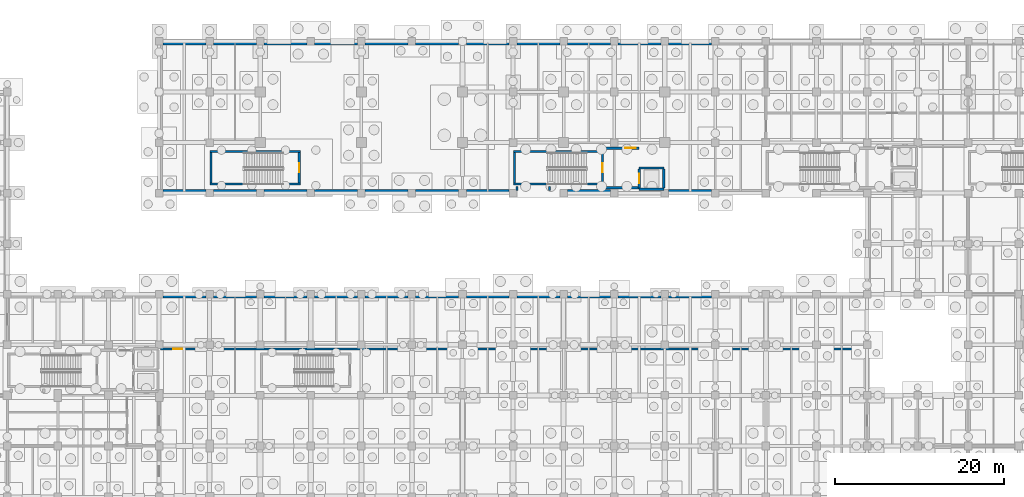
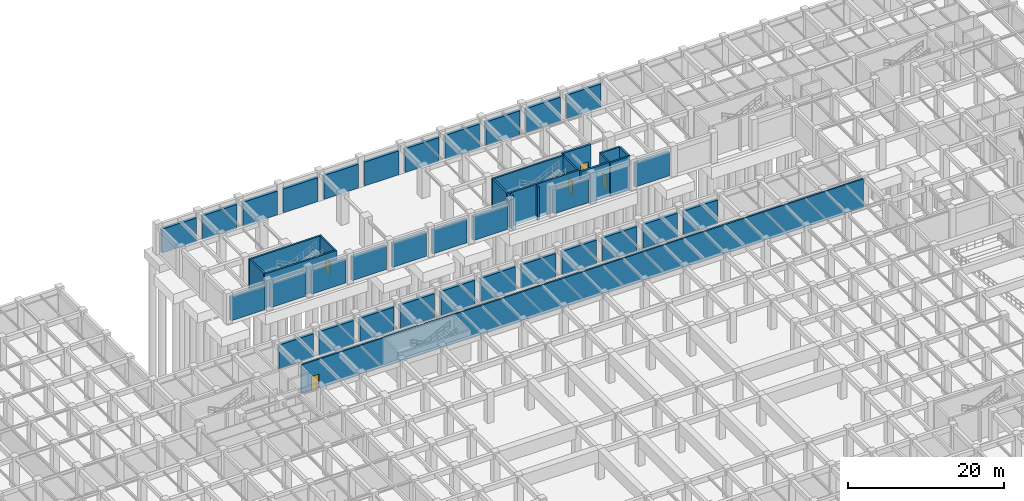
# One storey, part 42 of 54: 48 walls, 5 doors, 5 openings.
"""IFC4 building model written with IfcOpenShell, lengths in metres."""

from ifc_helpers import new_model, si_unit, direction, frame, frame_2d, origin, place, context, subcontext, project, spatial, rectangle, extrude, material, layer, layer_set, type_object, element, fill, save


model = new_model("IFC4")

# Units and contexts
model_context = context("Model", 3, precision=1e-05, world=origin(), true_north=direction((0.0, 1.0)))
body_context = subcontext(model_context, "Body", "Model", "MODEL_VIEW")
ifc_project = project(units=[si_unit("LENGTHUNIT", "METRE"), si_unit("AREAUNIT", "SQUARE_METRE"), si_unit("VOLUMEUNIT", "CUBIC_METRE"), si_unit("PLANEANGLEUNIT", "RADIAN"), si_unit("MASSUNIT", "GRAM", prefix="KILO"), si_unit("THERMODYNAMICTEMPERATUREUNIT", "KELVIN"), si_unit("POWERUNIT", "WATT")], contexts=[model_context])

# Site, building, storey
site_placement = place(None, origin())
site = spatial("IfcSite", under=ifc_project, at=site_placement, CompositionType="ELEMENT")
building_placement = place(site_placement, origin())
building = spatial("IfcBuilding", under=site, at=building_placement, Name="Phaisarnlok Congress Hotel", CompositionType="ELEMENT")
storey_placement = place(building_placement, frame((0.0, 0.0, -4.800048828125)))
storey = spatial("IfcBuildingStorey", under=building, at=storey_placement, Name="B01", CompositionType="ELEMENT", Elevation=-4.800048828125)

# Walls
ifc_material_1 = material(Name="Concrete C40/50", Category="concrete")
ifc_layer_1 = layer(ifc_material_1, 0.419921875, Name="Concrete C40/50")
ifc_layer_set_1 = layer_set([ifc_layer_1], Name="Concrete C40/50")
wall_type_1 = type_object("IfcWallType", Name="WL-EXT-420", PredefinedType="SOLIDWALL", material=ifc_layer_set_1)
for number, where, z_axis, x_axis, name in (
    (1, (125.544921875, 125.7900390625, 0.0), (0.0, 0.0, 1.0), (-1.0, 0.0, 0.0), "Exterior wall EW-08 (B01)"),
    (2, (119.544921875, 125.7900390625, 0.0), (0.0, 0.0, 1.0), (-1.0, 0.0, 0.0), "Exterior wall EW-08 (B01)"),
    (3, (113.544921875, 125.7900390625, 0.0), (0.0, 0.0, 1.0), (-1.0, 0.0, 0.0), "Exterior wall EW-08 (B01)"),
    (4, (107.544921875, 125.7900390625, 0.0), (0.0, 0.0, 1.0), (-1.0, 0.0, 0.0), "Exterior wall EW-08 (B01)"),
    (5, (101.544921875, 125.7900390625, 0.0), (0.0, 0.0, 1.0), (-1.0, 0.0, 0.0), "Exterior wall EW-08 (B01)"),
    (6, (95.544921875, 125.7900390625, 0.0), (0.0, 0.0, 1.0), (-1.0, 0.0, 0.0), "Exterior wall EW-08 (B01)"),
    (7, (89.544921875, 125.7900390625, 0.0), (0.0, 0.0, 1.0), (-1.0, 0.0, 0.0), "Exterior wall EW-08 (B01)"),
    (8, (83.544921875, 125.7900390625, 0.0), (0.0, 0.0, 1.0), (-1.0, 0.0, 0.0), "Exterior wall EW-08 (B01)"),
    (9, (77.544921875, 125.7900390625, 0.0), (0.0, 0.0, 1.0), (-1.0, 0.0, 0.0), "Exterior wall EW-08 (B01)"),
    (10, (71.544921875, 125.7900390625, 0.0), (0.0, 0.0, 1.0), (-1.0, 0.0, 0.0), "Exterior wall EW-08 (B01)"),
    (11, (65.544921875, 125.7900390625, 0.0), (0.0, 0.0, 1.0), (-1.0, 0.0, 0.0), "Exterior wall EW-08 (B01)"),
    (12, (60.455078125, 108.2099609375, 0.0), (0.0, 0.0, 1.0), (1.0, 0.0, 0.0), "Exterior wall EW-08 (B01)"),
    (13, (66.455078125, 108.2099609375, 0.0), (0.0, 0.0, 1.0), (1.0, 0.0, 0.0), "Exterior wall EW-08 (B01)"),
    (14, (72.455078125, 108.2099609375, 0.0), (0.0, 0.0, 1.0), (1.0, 0.0, 0.0), "Exterior wall EW-08 (B01)"),
    (15, (78.455078125, 108.2099609375, 0.0), (0.0, 0.0, 1.0), (1.0, 0.0, 0.0), "Exterior wall EW-08 (B01)"),
    (16, (84.455078125, 108.2099609375, 0.0), (0.0, 0.0, 1.0), (1.0, 0.0, 0.0), "Exterior wall EW-08 (B01)"),
    (17, (90.455078125, 108.2099609375, 0.0), (0.0, 0.0, 1.0), (1.0, 0.0, 0.0), "Exterior wall EW-08 (B01)"),
    (18, (96.455078125, 108.2099609375, 0.0), (0.0, 0.0, 1.0), (1.0, 0.0, 0.0), "Exterior wall EW-08 (B01)"),
    (19, (108.455078125, 108.2099609375, 0.0), (0.0, 0.0, 1.0), (1.0, 0.0, 0.0), "Exterior wall EW-08 (B01)"),
    (20, (120.455078125, 108.2099609375, 0.0), (0.0, 0.0, 1.0), (1.0, 0.0, 0.0), "Exterior wall EW-08 (B01)"),
    (21, (125.544921875, 95.7900390625, 0.0), (0.0, 0.0, 1.0), (-1.0, 0.0, 0.0), "Exterior wall EW-08 (B01)"),
    (22, (119.544921875, 95.7900390625, 0.0), (0.0, 0.0, 1.0), (-1.0, 0.0, 0.0), "Exterior wall EW-08 (B01)"),
    (23, (113.544921875, 95.7900390625, 0.0), (0.0, 0.0, 1.0), (-1.0, 0.0, 0.0), "Exterior wall EW-08 (B01)"),
    (24, (107.544921875, 95.7900390625, 0.0), (0.0, 0.0, 1.0), (-1.0, 0.0, 0.0), "Exterior wall EW-08 (B01)"),
    (25, (101.544921875, 95.7900390625, 0.0), (0.0, 0.0, 1.0), (-1.0, 0.0, 0.0), "Exterior wall EW-08 (B01)"),
    (26, (95.544921875, 95.7900390625, 0.0), (0.0, 0.0, 1.0), (-1.0, 0.0, 0.0), "Exterior wall EW-08 (B01)"),
    (27, (89.544921875, 95.7900390625, 0.0), (0.0, 0.0, 1.0), (-1.0, 0.0, 0.0), "Exterior wall EW-08 (B01)"),
    (28, (83.544921875, 95.7900390625, 0.0), (0.0, 0.0, 1.0), (-1.0, 0.0, 0.0), "Exterior wall EW-08 (B01)"),
    (29, (77.544921875, 95.7900390625, 0.0), (0.0, 0.0, 1.0), (-1.0, 0.0, 0.0), "Exterior wall EW-08 (B01)"),
    (30, (71.544921875, 95.7900390625, 0.0), (0.0, 0.0, 1.0), (-1.0, 0.0, 0.0), "Exterior wall EW-08 (B01)"),
    (31, (65.544921875, 95.7900390625, 0.0), (0.0, 0.0, 1.0), (-1.0, 0.0, 0.0), "Exterior wall EW-08 (B01)"),
):
    element("IfcWall", number, at=place(storey_placement, frame(where, z_axis=z_axis, x_axis=x_axis)), inside=storey, type_object=wall_type_1, Name=name, PredefinedType="SOLIDWALL", context=body_context, shape_type="SweptSolid", body=[
        extrude(rectangle(XDim=5.08984375, YDim=0.419921875, at=frame_2d((2.544921875, 0.0))), origin(), (0.0, 0.0, 1.0), 3.75),
    ])

# Wall, opening, door
ifc_layer_2 = layer(ifc_material_1, 0.239990234375, Name="Concrete C40/50")
ifc_layer_set_2 = layer_set([ifc_layer_2], Name="Concrete C40/50")
wall_type_2 = type_object("IfcWallType", Name="WL-INT-240", PredefinedType="PARTITIONING", material=ifc_layer_set_2)
wall_1_placement = place(storey_placement, frame((60.179931640625, 89.5, 0.0), z_axis=(0.0, 0.0, 1.0), x_axis=(1.0, 0.0, 0.0)))
wall_1 = element("IfcWall", 32, at=wall_1_placement, inside=storey, type_object=wall_type_2, Name="Interior partition wall IW-01 (B01)", PredefinedType="PARTITIONING", context=body_context, shape_type="SweptSolid", body=[
    extrude(rectangle(XDim=83.39013671875, YDim=0.239990234375, at=frame_2d((41.695068359375, 0.0))), origin(), (0.0, 0.0, 1.0), 4.5),
])
opening_1_placement = place(wall_1_placement, frame((1.5, 0.0, 0.0)))
opening_1 = element("IfcOpeningElement", 33, at=opening_1_placement, cuts=wall_1, Name="Opening D-0023", PredefinedType="OPENING", context=body_context, shape_type="SweptSolid", body=[
    extrude(rectangle(XDim=1.10009765625, YDim=2.14990234375, at=frame_2d((0.550048828125, 1.074951171875))), frame((0.0, 0.1298828125, 0.0), z_axis=(0.0, -1.0, 0.0), x_axis=(1.0, 0.0, 0.0)), (0.0, 0.0, 1.0), 0.260009765625),
])
ifc_material_2 = material(Name="Fire-Rated Steel Frame & Timber Leaf", Category="steel")
door_type_1 = type_object("IfcDoorType", Name="DR-FD60-1100", OperationType="NOTDEFINED", PredefinedType="DOOR", material=ifc_material_2)
door_1_placement = place(opening_1_placement, origin())
door_1 = element("IfcDoor", 34, at=door_1_placement, inside=storey, type_object=door_type_1, Name="Interior door D-0023 (B01)", OperationType="SINGLE_SWING_RIGHT", OverallHeight=2.14990234375, OverallWidth=1.10009765625, PredefinedType="DOOR", context=body_context, shape_type="SweptSolid", body=[
    extrude(rectangle(XDim=1.10009765625, YDim=2.14990234375, at=frame_2d((0.550048828125, 1.074951171875))), frame((0.0, 0.02490234375, 0.0), z_axis=(0.0, -1.0, 0.0), x_axis=(1.0, 0.0, 0.0)), (0.0, 0.0, 1.0), 0.050048828125),
])
fill(opening_1, door_1)

# Walls
ifc_material_3 = material(Name="Concrete C50/60", Category="concrete")
ifc_layer_3 = layer(ifc_material_3, 0.260009765625, Name="Concrete C50/60")
ifc_layer_set_3 = layer_set([ifc_layer_3], Name="Concrete C50/60")
wall_type_3 = type_object("IfcWallType", Name="WL-SHR-260", PredefinedType="SHEAR", material=ifc_layer_set_3)
for number, where, z_axis, x_axis, name in (
    (35, (102.0400390625, 109.070068359375, -0.5), (0.0, 0.0, 1.0), (1.0, 0.0, 0.0), "Stair shaft shear wall SW-04 (CORE-4 B01)"),
    (36, (102.0400390625, 112.929931640625, -0.5), (0.0, 0.0, 1.0), (1.0, 0.0, 0.0), "Stair shaft shear wall SW-04 (CORE-4 B01)"),
):
    element("IfcWall", number, at=place(storey_placement, frame(where, z_axis=z_axis, x_axis=x_axis)), inside=storey, type_object=wall_type_3, Name=name, PredefinedType="SHEAR", context=body_context, shape_type="SweptSolid", body=[
        extrude(rectangle(XDim=10.719970703125, YDim=0.260009765625, at=frame_2d((5.35986328125, 0.0))), origin(), (0.0, 0.0, 1.0), 5.300048828125),
    ])
wall_2_placement = place(storey_placement, frame((102.169921875, 109.199951171875, -0.5), z_axis=(0.0, 0.0, 1.0), x_axis=(0.0, 1.0, 0.0)))
element("IfcWall", 37, at=wall_2_placement, inside=storey, type_object=wall_type_3, Name="Stair shaft shear wall SW-04 (CORE-4 B01)", PredefinedType="SHEAR", context=body_context, shape_type="SweptSolid", body=[
    extrude(rectangle(XDim=3.60009765625, YDim=0.260009765625, at=frame_2d((1.800048828125, 0.0))), origin(), (0.0, 0.0, 1.0), 5.300048828125),
])

# Wall, opening, door
wall_3_placement = place(storey_placement, frame((112.6298828125, 109.199951171875, -0.5), z_axis=(0.0, 0.0, 1.0), x_axis=(0.0, 1.0, 0.0)))
wall_3 = element("IfcWall", 38, at=wall_3_placement, inside=storey, type_object=wall_type_3, Name="Stair shaft shear wall SW-04 (CORE-4 B01)", PredefinedType="SHEAR", context=body_context, shape_type="SweptSolid", body=[
    extrude(rectangle(XDim=3.60009765625, YDim=0.260009765625, at=frame_2d((1.800048828125, 0.0))), origin(), (0.0, 0.0, 1.0), 5.300048828125),
])
opening_2_placement = place(wall_3_placement, frame((1.25, 0.0, 0.5)))
opening_2 = element("IfcOpeningElement", 39, at=opening_2_placement, cuts=wall_3, Name="Opening FD-091", PredefinedType="OPENING", context=body_context, shape_type="SweptSolid", body=[
    extrude(rectangle(XDim=1.10009765625, YDim=2.14990234375, at=frame_2d((0.550048828125, 1.074951171875))), frame((0.0, 0.14013671875, 0.0), z_axis=(0.0, -1.0, 0.0), x_axis=(1.0, 0.0, 0.0)), (0.0, 0.0, 1.0), 0.280029296875),
])
door_2_placement = place(opening_2_placement, origin())
door_2 = element("IfcDoor", 40, at=door_2_placement, inside=storey, type_object=door_type_1, Name="Stair enclosure fire door FD-091 (B01)", OperationType="SINGLE_SWING_RIGHT", OverallHeight=2.14990234375, OverallWidth=1.10009765625, PredefinedType="DOOR", context=body_context, shape_type="SweptSolid", body=[
    extrude(rectangle(XDim=1.10009765625, YDim=2.14990234375, at=frame_2d((0.550048828125, 1.074951171875))), frame((0.0, 0.02490234375, 0.0), z_axis=(0.0, -1.0, 0.0), x_axis=(1.0, 0.0, 0.0)), (0.0, 0.0, 1.0), 0.050048828125),
])
fill(opening_2, door_2)

# Walls
wall_4_placement = place(storey_placement, frame((116.969970703125, 110.97998046875, -0.5), z_axis=(0.0, 0.0, 1.0), x_axis=(1.0, 0.0, 0.0)))
element("IfcWall", 41, at=wall_4_placement, inside=storey, type_object=wall_type_3, Name="Lift shaft shear wall SW-04 (LF-HP4 B01)", PredefinedType="SHEAR", context=body_context, shape_type="SweptSolid", body=[
    extrude(rectangle(XDim=2.909912109375, YDim=0.260009765625, at=frame_2d((1.455078125, 0.0))), origin(), (0.0, 0.0, 1.0), 5.300048828125),
])
wall_5_placement = place(storey_placement, frame((119.8798828125, 108.60009765625, -0.5), z_axis=(0.0, 0.0, 1.0), x_axis=(0.0, 1.0, 0.0)))
element("IfcWall", 42, at=wall_5_placement, inside=storey, type_object=wall_type_3, Name="Lift shaft shear wall SW-04 (LF-HP4 B01)", PredefinedType="SHEAR", context=body_context, shape_type="SweptSolid", body=[
    extrude(rectangle(XDim=2.25, YDim=0.260009765625, at=frame_2d((1.125, 0.0))), origin(), (0.0, 0.0, 1.0), 5.300048828125),
])

# Wall, opening, door
wall_6_placement = place(storey_placement, frame((116.969970703125, 108.60009765625, -0.5), z_axis=(0.0, 0.0, 1.0), x_axis=(0.0, 1.0, 0.0)))
wall_6 = element("IfcWall", 43, at=wall_6_placement, inside=storey, type_object=wall_type_3, Name="Lift shaft front wall SW-04 (LF-HP4 B01)", PredefinedType="SHEAR", context=body_context, shape_type="SweptSolid", body=[
    extrude(rectangle(XDim=2.25, YDim=0.260009765625, at=frame_2d((1.125, 0.0))), origin(), (0.0, 0.0, 1.0), 5.300048828125),
])
opening_3_placement = place(wall_6_placement, frame((0.574951171875, 0.0, 0.5)))
opening_3 = element("IfcOpeningElement", 44, at=opening_3_placement, cuts=wall_6, Name="Opening LD-091", PredefinedType="OPENING", context=body_context, shape_type="SweptSolid", body=[
    extrude(rectangle(XDim=1.10009765625, YDim=2.199951171875, at=frame_2d((0.550048828125, 1.10009765625))), frame((0.0, 0.14013671875, 0.0), z_axis=(0.0, -1.0, 0.0), x_axis=(1.0, 0.0, 0.0)), (0.0, 0.0, 1.0), 0.280029296875),
])
ifc_material_4 = material(Name="Brushed Stainless Steel Grade 304", Category="steel")
door_type_2 = type_object("IfcDoorType", Name="DR-LD-1100", OperationType="DOUBLE_DOOR_SLIDING", PredefinedType="DOOR", material=ifc_material_4)
door_3_placement = place(opening_3_placement, origin())
door_3 = element("IfcDoor", 45, at=door_3_placement, inside=storey, type_object=door_type_2, Name="Lift landing sliding door LD-091 (LF-HP4 B01)", OperationType="DOUBLE_DOOR_SLIDING", OverallHeight=2.199951171875, OverallWidth=1.10009765625, PredefinedType="DOOR", context=body_context, shape_type="SweptSolid", body=[
    extrude(rectangle(XDim=1.10009765625, YDim=2.199951171875, at=frame_2d((0.550048828125, 1.10009765625))), frame((0.0, 0.02490234375, 0.0), z_axis=(0.0, -1.0, 0.0), x_axis=(1.0, 0.0, 0.0)), (0.0, 0.0, 1.0), 0.050048828125),
])
fill(opening_3, door_3)

# Walls
wall_7_placement = place(storey_placement, frame((102.469970703125, 108.330078125, -0.5), z_axis=(0.0, 0.0, 1.0), x_axis=(0.0, 1.0, 0.0)))
element("IfcWall", 46, at=wall_7_placement, inside=storey, type_object=wall_type_3, Name="Service riser shaft wall SW-04 (CORE-4 B01)", PredefinedType="SHEAR", context=body_context, shape_type="SweptSolid", body=[
    extrude(rectangle(XDim=0.43994140625, YDim=0.260009765625, at=frame_2d((0.219970703125, 0.0))), origin(), (0.0, 0.0, 1.0), 5.300048828125),
])
for number, where, z_axis, x_axis, name in (
    (47, (66.0400390625, 109.070068359375, -0.5), (0.0, 0.0, 1.0), (1.0, 0.0, 0.0), "Stair shaft shear wall SW-04 (STAIR-HW B01)"),
    (48, (66.0400390625, 112.929931640625, -0.5), (0.0, 0.0, 1.0), (1.0, 0.0, 0.0), "Stair shaft shear wall SW-04 (STAIR-HW B01)"),
):
    element("IfcWall", number, at=place(storey_placement, frame(where, z_axis=z_axis, x_axis=x_axis)), inside=storey, type_object=wall_type_3, Name=name, PredefinedType="SHEAR", context=body_context, shape_type="SweptSolid", body=[
        extrude(rectangle(XDim=10.719970703125, YDim=0.260009765625, at=frame_2d((5.35986328125, 0.0))), origin(), (0.0, 0.0, 1.0), 5.300048828125),
    ])
wall_8_placement = place(storey_placement, frame((66.169921875, 109.199951171875, -0.5), z_axis=(0.0, 0.0, 1.0), x_axis=(0.0, 1.0, 0.0)))
element("IfcWall", 49, at=wall_8_placement, inside=storey, type_object=wall_type_3, Name="Stair shaft shear wall SW-04 (STAIR-HW B01)", PredefinedType="SHEAR", context=body_context, shape_type="SweptSolid", body=[
    extrude(rectangle(XDim=3.60009765625, YDim=0.260009765625, at=frame_2d((1.800048828125, 0.0))), origin(), (0.0, 0.0, 1.0), 5.300048828125),
])

# Wall, opening, door
wall_9_placement = place(storey_placement, frame((76.6298828125, 109.199951171875, -0.5), z_axis=(0.0, 0.0, 1.0), x_axis=(0.0, 1.0, 0.0)))
wall_9 = element("IfcWall", 50, at=wall_9_placement, inside=storey, type_object=wall_type_3, Name="Stair shaft shear wall SW-04 (STAIR-HW B01)", PredefinedType="SHEAR", context=body_context, shape_type="SweptSolid", body=[
    extrude(rectangle(XDim=3.60009765625, YDim=0.260009765625, at=frame_2d((1.800048828125, 0.0))), origin(), (0.0, 0.0, 1.0), 5.300048828125),
])
opening_4_placement = place(wall_9_placement, frame((1.25, 0.0, 0.5)))
opening_4 = element("IfcOpeningElement", 51, at=opening_4_placement, cuts=wall_9, Name="Opening FD-145", PredefinedType="OPENING", context=body_context, shape_type="SweptSolid", body=[
    extrude(rectangle(XDim=1.10009765625, YDim=2.14990234375, at=frame_2d((0.550048828125, 1.074951171875))), frame((0.0, 0.14013671875, 0.0), z_axis=(0.0, -1.0, 0.0), x_axis=(1.0, 0.0, 0.0)), (0.0, 0.0, 1.0), 0.280029296875),
])
door_4_placement = place(opening_4_placement, origin())
door_4 = element("IfcDoor", 52, at=door_4_placement, inside=storey, type_object=door_type_1, Name="Stair enclosure fire door FD-145 (B01)", OperationType="SINGLE_SWING_RIGHT", OverallHeight=2.14990234375, OverallWidth=1.10009765625, PredefinedType="DOOR", context=body_context, shape_type="SweptSolid", body=[
    extrude(rectangle(XDim=1.10009765625, YDim=2.14990234375, at=frame_2d((0.550048828125, 1.074951171875))), frame((0.0, 0.02490234375, 0.0), z_axis=(0.0, -1.0, 0.0), x_axis=(1.0, 0.0, 0.0)), (0.0, 0.0, 1.0), 0.050048828125),
])
fill(opening_4, door_4)

# Walls
ifc_layer_4 = layer(ifc_material_3, 0.260009765625, Name="Concrete C50/60")
ifc_layer_set_4 = layer_set([ifc_layer_4], Name="Concrete C50/60")
wall_type_4 = type_object("IfcWallType", Name="WL-SHR-260-EXT", PredefinedType="SHEAR", material=ifc_layer_set_4)
wall_10_placement = place(storey_placement, frame((116.969970703125, 108.469970703125, -0.5), z_axis=(0.0, 0.0, 1.0), x_axis=(1.0, 0.0, 0.0)))
element("IfcWall", 53, at=wall_10_placement, inside=storey, type_object=wall_type_4, Name="Lift shaft shear wall SW-04E (LF-HP4 B01)", PredefinedType="SHEAR", context=body_context, shape_type="SweptSolid", body=[
    extrude(rectangle(XDim=2.909912109375, YDim=0.260009765625, at=frame_2d((1.455078125, 0.0))), origin(), (0.0, 0.0, 1.0), 5.300048828125),
])
wall_11_placement = place(storey_placement, frame((106.330078125, 108.330078125, -0.5), z_axis=(0.0, 0.0, 1.0), x_axis=(0.0, 1.0, 0.0)))
element("IfcWall", 54, at=wall_11_placement, inside=storey, type_object=wall_type_4, Name="Service riser shaft wall SW-04E (CORE-4 B01)", PredefinedType="SHEAR", context=body_context, shape_type="SweptSolid", body=[
    extrude(rectangle(XDim=0.43994140625, YDim=0.260009765625, at=frame_2d((0.219970703125, 0.0))), origin(), (0.0, 0.0, 1.0), 5.300048828125),
])

# Wall, opening, door
ifc_layer_5 = layer(ifc_material_3, 0.300048828125, Name="Concrete C50/60")
ifc_layer_set_5 = layer_set([ifc_layer_5], Name="Concrete C50/60")
wall_type_5 = type_object("IfcWallType", Name="WL-SHR-300", PredefinedType="SHEAR", material=ifc_layer_set_5)
wall_12_placement = place(storey_placement, frame((112.679931640625, 113.35009765625, -0.5), z_axis=(0.0, 0.0, 1.0), x_axis=(1.0, 0.0, 0.0)))
wall_12 = element("IfcWall", 55, at=wall_12_placement, inside=storey, type_object=wall_type_5, Name="Core lobby EI-120 wall SW-03 (CORE-4 B01)", PredefinedType="SHEAR", context=body_context, shape_type="SweptSolid", body=[
    extrude(rectangle(XDim=4.239990234375, YDim=0.300048828125, at=frame_2d((2.1201171875, 0.0))), origin(), (0.0, 0.0, 1.0), 5.300048828125),
])
opening_5_placement = place(wall_12_placement, frame((2.64990234375, 0.0, 0.5)))
opening_5 = element("IfcOpeningElement", 56, at=opening_5_placement, cuts=wall_12, Name="Opening FD-106", PredefinedType="OPENING", context=body_context, shape_type="SweptSolid", body=[
    extrude(rectangle(XDim=1.199951171875, YDim=2.199951171875, at=frame_2d((0.60009765625, 1.10009765625))), frame((0.0, 0.16015625, 0.0), z_axis=(0.0, -1.0, 0.0), x_axis=(1.0, 0.0, 0.0)), (0.0, 0.0, 1.0), 0.320068359375),
])
door_type_3 = type_object("IfcDoorType", Name="DR-FD60-1200", OperationType="NOTDEFINED", PredefinedType="DOOR", material=ifc_material_2)
door_5_placement = place(opening_5_placement, origin())
door_5 = element("IfcDoor", 57, at=door_5_placement, inside=storey, type_object=door_type_3, Name="Firefighting lobby entrance door FD-106 (CORE-4 B01)", OperationType="SINGLE_SWING_LEFT", OverallHeight=2.199951171875, OverallWidth=1.199951171875, PredefinedType="DOOR", context=body_context, shape_type="SweptSolid", body=[
    extrude(rectangle(XDim=1.199951171875, YDim=2.199951171875, at=frame_2d((0.60009765625, 1.10009765625))), frame((0.0, 0.02490234375, 0.0), z_axis=(0.0, -1.0, 0.0), x_axis=(1.0, 0.0, 0.0)), (0.0, 0.0, 1.0), 0.050048828125),
])
fill(opening_5, door_5)

# Wall
wall_13_placement = place(storey_placement, frame((112.679931640625, 108.64990234375, -0.5), z_axis=(0.0, 0.0, 1.0), x_axis=(1.0, 0.0, 0.0)))
element("IfcWall", 58, at=wall_13_placement, inside=storey, type_object=wall_type_5, Name="Core lobby EI-120 wall SW-03 (CORE-4 B01)", PredefinedType="SHEAR", context=body_context, shape_type="SweptSolid", body=[
    extrude(rectangle(XDim=4.239990234375, YDim=0.300048828125, at=frame_2d((2.1201171875, 0.0))), origin(), (0.0, 0.0, 1.0), 5.300048828125),
])

save(model, "model.ifc")
